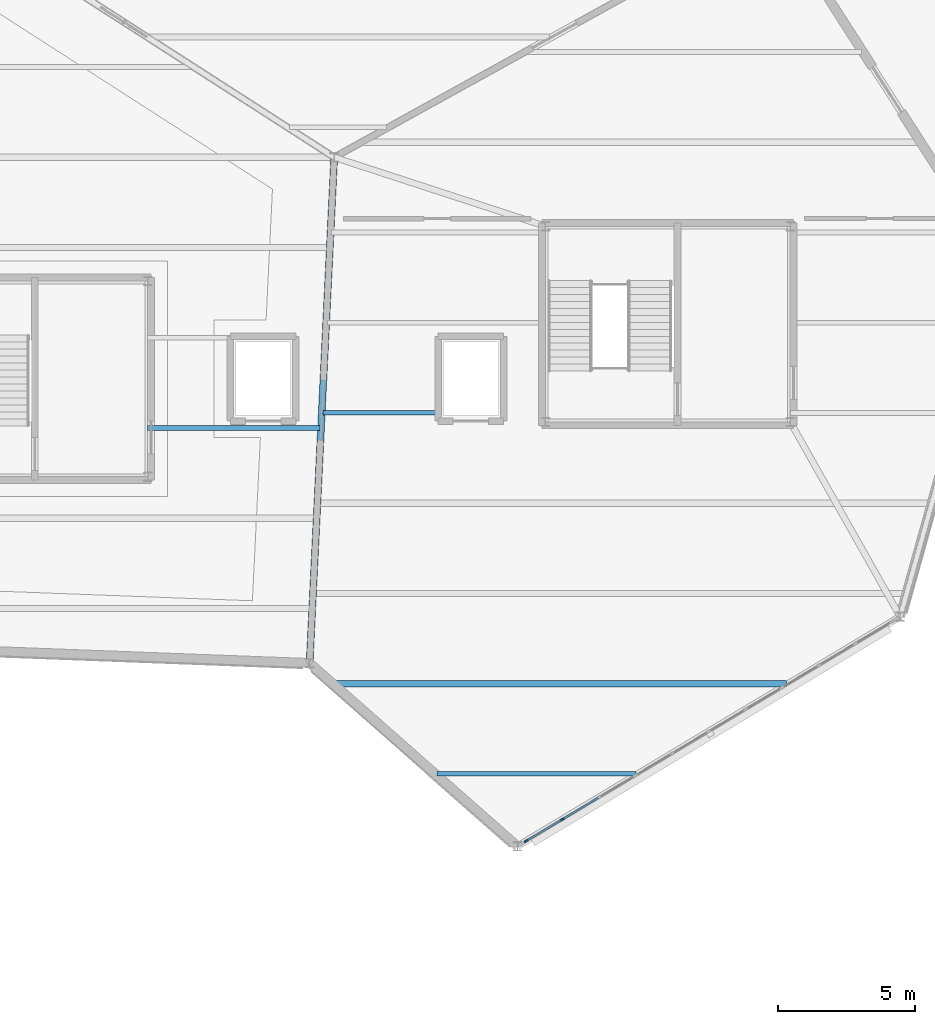
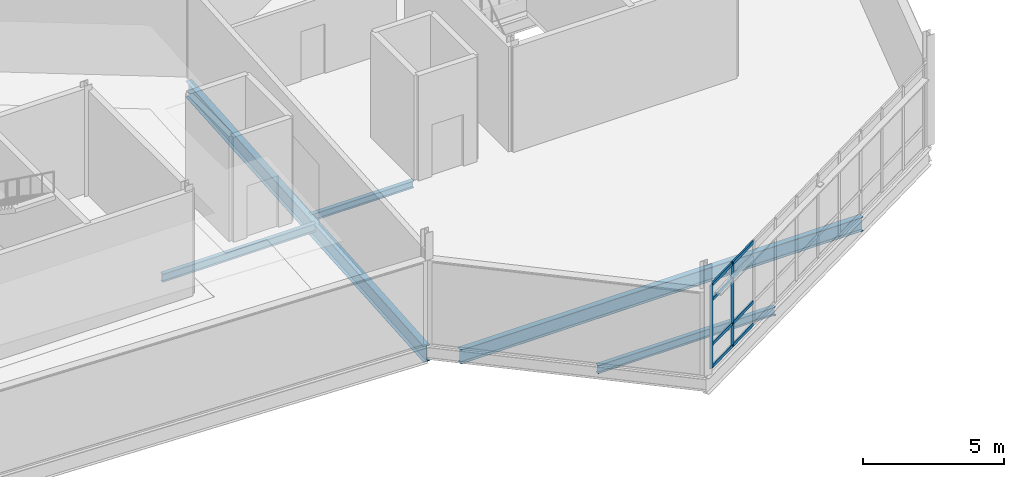
# One storey, part 36 of 76: 10 members, 5 beams, 1 element without a shape of its own.
"""IFC4 building model written with IfcOpenShell, lengths in metres."""

from ifc_helpers import new_model, si_unit, direction, frame, origin, origin_2d, place, context, subcontext, project, spatial, rectangle, i_section, extrude, material, material_profile, profile_set, type_object, element, aggregate, save


model = new_model("IFC4")

# Units and contexts
model_context = context("Model", 3, precision=1e-05, world=origin(), true_north=direction((0.0, 1.0)))
body_context = subcontext(model_context, "Body", "Model", "MODEL_VIEW")
ifc_project = project(units=[si_unit("LENGTHUNIT", "METRE"), si_unit("AREAUNIT", "SQUARE_METRE"), si_unit("VOLUMEUNIT", "CUBIC_METRE"), si_unit("PLANEANGLEUNIT", "RADIAN"), si_unit("MASSUNIT", "GRAM", prefix="KILO")], contexts=[model_context])

# Site, building, storey
site_placement = place(None, origin())
site = spatial("IfcSite", under=ifc_project, at=site_placement, CompositionType="ELEMENT")
building_placement = place(site_placement, origin())
building = spatial("IfcBuilding", under=site, at=building_placement, Name="Tameran Prism Museum", CompositionType="ELEMENT")
storey_placement = place(building_placement, frame((0.0, 0.0, 15.0)))
storey = spatial("IfcBuildingStorey", under=building, at=storey_placement, Name="L03", CompositionType="ELEMENT", Elevation=15.0)

# Beams
ifc_material_1 = material(Name="Steel Grade 300PLUS (300 MPa)", Category="steel")
ifc_material_profile_1 = material_profile(ifc_material_1, i_section(OverallWidth=0.166015625, OverallDepth=0.306884765625, WebThickness=0.006591796875, FlangeThickness=0.01171875, FilletRadius=0.011474609375, at=origin_2d()))
ifc_profile_set_1 = profile_set([ifc_material_profile_1])
beam_type_1 = type_object("IfcBeamType", Name="BM-J310A", PredefinedType="JOIST", material=ifc_profile_set_1)
beam_1_placement = place(storey_placement, frame((118.385009765625, 79.75, -0.353515625), z_axis=(1.0, 0.0, 0.0), x_axis=(0.0, 1.0, 0.0)))
element("IfcBeam", 1, at=beam_1_placement, inside=storey, type_object=beam_type_1, Name="Floor Beam BM-1064", PredefinedType="JOIST", context=body_context, shape_type="SweptSolid", body=[
    extrude(i_section(OverallWidth=0.166015625, OverallDepth=0.306884765625, WebThickness=0.006591796875, FlangeThickness=0.01171875, FilletRadius=0.011474609375, at=origin_2d()), origin(), (0.0, 0.0, 1.0), 4.235107421875),
])
ifc_material_2 = material(Name="Steel Grade 300PLUS (300 MPa)", Category="steel")
ifc_material_profile_2 = material_profile(ifc_material_2, i_section(OverallWidth=0.172119140625, OverallDepth=0.35888671875, WebThickness=0.008056640625, FlangeThickness=0.012939453125, FilletRadius=0.011474609375, at=origin_2d()))
ifc_profile_set_2 = profile_set([ifc_material_profile_2])
beam_type_2 = type_object("IfcBeamType", Name="BM-J360A", PredefinedType="JOIST", material=ifc_profile_set_2)
beam_2_placement = place(storey_placement, frame((111.97998046875, 79.199951171875, -0.37939453125), z_axis=(1.0, 0.0, 0.0), x_axis=(0.0, 1.0, 0.0)))
element("IfcBeam", 2, at=beam_2_placement, inside=storey, type_object=beam_type_2, Name="Floor Beam BM-1053", PredefinedType="JOIST", context=body_context, shape_type="SweptSolid", body=[
    extrude(i_section(OverallWidth=0.172119140625, OverallDepth=0.35888671875, WebThickness=0.008056640625, FlangeThickness=0.012939453125, FilletRadius=0.011474609375, at=origin_2d()), origin(), (0.0, 0.0, 1.0), 6.298095703125),
])
beam_3_placement = place(storey_placement, frame((122.554931640625, 66.550048828125, -0.37939453125), z_axis=(1.0, 0.0, 0.0), x_axis=(0.0, 1.0, 0.0)))
element("IfcBeam", 3, at=beam_3_placement, inside=storey, type_object=beam_type_2, Name="Floor Beam BM-1060", PredefinedType="JOIST", context=body_context, shape_type="SweptSolid", body=[
    extrude(i_section(OverallWidth=0.172119140625, OverallDepth=0.35888671875, WebThickness=0.008056640625, FlangeThickness=0.012939453125, FilletRadius=0.011474609375, at=origin_2d()), origin(), (0.0, 0.0, 1.0), 7.2841796875),
])
ifc_material_3 = material(Name="Steel Grade 350 (350 MPa)", Category="steel")
ifc_material_profile_3 = material_profile(ifc_material_3, i_section(OverallWidth=0.25, OverallDepth=0.699951171875, WebThickness=0.010009765625, FlangeThickness=0.02001953125, at=origin_2d()))
ifc_profile_set_3 = profile_set([ifc_material_profile_3])
beam_type_3 = type_object("IfcBeamType", Name="BM-SP700", PredefinedType="SPANDREL", material=ifc_profile_set_3)
beam_4_placement = place(storey_placement, frame((117.89990234375, 70.60009765625, -0.550048828125), z_axis=(0.048599072515, 0.998818366947, 0.0), x_axis=(-0.998818366947, 0.048599072515, 0.0)))
element("IfcBeam", 4, at=beam_4_placement, inside=storey, type_object=beam_type_3, Name="Perimeter Spandrel SP-0941", PredefinedType="SPANDREL", context=body_context, shape_type="SweptSolid", body=[
    extrude(i_section(OverallWidth=0.25, OverallDepth=0.699951171875, WebThickness=0.010009765625, FlangeThickness=0.02001953125, at=origin_2d()), origin(), (0.0, 0.0, 1.0), 18.52197265625),
])
ifc_material_4 = material(Name="Steel Grade 300PLUS (300 MPa)", Category="steel")
ifc_material_profile_4 = material_profile(ifc_material_4, i_section(OverallWidth=0.22802734375, OverallDepth=0.60693359375, WebThickness=0.01123046875, FlangeThickness=0.017333984375, FilletRadius=0.013916015625, at=origin_2d()))
ifc_profile_set_4 = profile_set([ifc_material_profile_4])
beam_type_4 = type_object("IfcBeamType", Name="BM-UB610B", PredefinedType="BEAM", material=ifc_profile_set_4)
beam_5_placement = place(storey_placement, frame((118.81103515625, 69.85009765625, -0.50341796875), z_axis=(1.0, 0.0, 0.0), x_axis=(0.0, 1.0, 0.0)))
element("IfcBeam", 5, at=beam_5_placement, inside=storey, type_object=beam_type_4, Name="Floor Beam BM-1061", PredefinedType="BEAM", context=body_context, shape_type="SweptSolid", body=[
    extrude(i_section(OverallWidth=0.22802734375, OverallDepth=0.60693359375, WebThickness=0.01123046875, FlangeThickness=0.017333984375, FilletRadius=0.013916015625, at=origin_2d()), origin(), (0.0, 0.0, 1.0), 16.528076171875),
])

# Curtain wall, members
ifc_material_5 = material(Name="Anodised Aluminium 6063-T6 and Cyclone Solar Glass", Category="aluminium")
curtain_wall_type = type_object("IfcCurtainWallType", Name="CW-FAC-1563x362", PredefinedType="USERDEFINED", material=ifc_material_5)
curtain_wall_placement = place(storey_placement, origin())
curtain_wall = element("IfcCurtainWall", 6, at=curtain_wall_placement, inside=storey, type_object=curtain_wall_type, Name="Unitised Curtain Wall CW-131", ObjectType="UNITISED CURTAIN WALL", PredefinedType="USERDEFINED")
ifc_material_6 = material(Name="Anodised Aluminium Alloy 6063-T6", Category="aluminium")
ifc_material_profile_5 = material_profile(ifc_material_6, rectangle(XDim=0.06494140625, YDim=0.159912109375, at=origin_2d()))
ifc_profile_set_5 = profile_set([ifc_material_profile_5])
member_type_1 = type_object("IfcMemberType", Name="CW-MUL-A", PredefinedType="MULLION", material=ifc_profile_set_5)
member_1_placement = place(storey_placement, frame((127.139892578125, 64.884033203125, 0.0), z_axis=(0.0, 0.0, 1.0), x_axis=(0.514495755426, -0.857492925713, 0.0)))
member_1 = element("IfcMember", 7, at=member_1_placement, type_object=member_type_1, Name="CW-131 mullion 10", PredefinedType="MULLION", context=body_context, shape_type="SweptSolid", body=[
    extrude(rectangle(XDim=0.06494140625, YDim=0.159912109375, at=origin_2d()), origin(), (0.0, 0.0, 1.0), 3.6201171875),
])
member_2_placement = place(storey_placement, frame((125.827880859375, 64.0966796875, 0.0), z_axis=(0.0, 0.0, 1.0), x_axis=(0.514495755426, -0.857492925713, 0.0)))
member_2 = element("IfcMember", 8, at=member_2_placement, type_object=member_type_1, Name="CW-131 mullion 11", PredefinedType="MULLION", context=body_context, shape_type="SweptSolid", body=[
    extrude(rectangle(XDim=0.06494140625, YDim=0.159912109375, at=origin_2d()), origin(), (0.0, 0.0, 1.0), 3.6201171875),
])
ifc_material_7 = material(Name="Anodised Aluminium Alloy 6063-T6", Category="aluminium")
ifc_material_profile_6 = material_profile(ifc_material_7, rectangle(XDim=0.06494140625, YDim=0.139892578125, at=origin_2d()))
ifc_profile_set_6 = profile_set([ifc_material_profile_6])
member_type_2 = type_object("IfcMemberType", Name="CW-TRN-A", PredefinedType="USERDEFINED", material=ifc_profile_set_6)
member_3_placement = place(storey_placement, frame((128.4521484375, 65.67138671875, 0.032470703125), z_axis=(-0.857421002132, -0.514615609074, 0.0), x_axis=(0.514615609074, -0.857421002132, 0.0)))
member_3 = element("IfcMember", 9, at=member_3_placement, type_object=member_type_2, Name="CW-131 transom 9.1", ObjectType="TRANSOM", PredefinedType="USERDEFINED", context=body_context, shape_type="SweptSolid", body=[
    extrude(rectangle(XDim=0.06494140625, YDim=0.139892578125, at=origin_2d()), origin(), (0.0, 0.0, 1.0), 1.497802734375),
])
member_4_placement = place(storey_placement, frame((128.4521484375, 65.67138671875, 1.0), z_axis=(-0.857421002132, -0.514615609074, 0.0), x_axis=(0.514615609074, -0.857421002132, 0.0)))
member_4 = element("IfcMember", 10, at=member_4_placement, type_object=member_type_2, Name="CW-131 transom 9.2", ObjectType="TRANSOM", PredefinedType="USERDEFINED", context=body_context, shape_type="SweptSolid", body=[
    extrude(rectangle(XDim=0.06494140625, YDim=0.139892578125, at=origin_2d()), origin(), (0.0, 0.0, 1.0), 1.497802734375),
])
member_5_placement = place(storey_placement, frame((128.4521484375, 65.67138671875, 2.93994140625), z_axis=(-0.857421002132, -0.514615609074, 0.0), x_axis=(0.514615609074, -0.857421002132, 0.0)))
member_5 = element("IfcMember", 11, at=member_5_placement, type_object=member_type_2, Name="CW-131 transom 9.3", ObjectType="TRANSOM", PredefinedType="USERDEFINED", context=body_context, shape_type="SweptSolid", body=[
    extrude(rectangle(XDim=0.06494140625, YDim=0.139892578125, at=origin_2d()), origin(), (0.0, 0.0, 1.0), 1.497802734375),
])
member_6_placement = place(storey_placement, frame((128.4521484375, 65.67138671875, 3.58740234375), z_axis=(-0.857421002132, -0.514615609074, 0.0), x_axis=(0.514615609074, -0.857421002132, 0.0)))
member_6 = element("IfcMember", 12, at=member_6_placement, type_object=member_type_2, Name="CW-131 transom 9.4", ObjectType="TRANSOM", PredefinedType="USERDEFINED", context=body_context, shape_type="SweptSolid", body=[
    extrude(rectangle(XDim=0.06494140625, YDim=0.139892578125, at=origin_2d()), origin(), (0.0, 0.0, 1.0), 1.497802734375),
])
member_7_placement = place(storey_placement, frame((127.112060546875, 64.8671875, 0.032470703125), z_axis=(-0.85753703354, -0.514422235239, 0.0), x_axis=(0.514422235239, -0.85753703354, 0.0)))
member_7 = element("IfcMember", 13, at=member_7_placement, type_object=member_type_2, Name="CW-131 transom 10.1", ObjectType="TRANSOM", PredefinedType="USERDEFINED", context=body_context, shape_type="SweptSolid", body=[
    extrude(rectangle(XDim=0.06494140625, YDim=0.139892578125, at=origin_2d()), origin(), (0.0, 0.0, 1.0), 1.465087890625),
])
member_8_placement = place(storey_placement, frame((127.112060546875, 64.8671875, 1.0), z_axis=(-0.85753703354, -0.514422235239, 0.0), x_axis=(0.514422235239, -0.85753703354, 0.0)))
member_8 = element("IfcMember", 14, at=member_8_placement, type_object=member_type_2, Name="CW-131 transom 10.2", ObjectType="TRANSOM", PredefinedType="USERDEFINED", context=body_context, shape_type="SweptSolid", body=[
    extrude(rectangle(XDim=0.06494140625, YDim=0.139892578125, at=origin_2d()), origin(), (0.0, 0.0, 1.0), 1.465087890625),
])
member_9_placement = place(storey_placement, frame((127.112060546875, 64.8671875, 2.93994140625), z_axis=(-0.85753703354, -0.514422235239, 0.0), x_axis=(0.514422235239, -0.85753703354, 0.0)))
member_9 = element("IfcMember", 15, at=member_9_placement, type_object=member_type_2, Name="CW-131 transom 10.3", ObjectType="TRANSOM", PredefinedType="USERDEFINED", context=body_context, shape_type="SweptSolid", body=[
    extrude(rectangle(XDim=0.06494140625, YDim=0.139892578125, at=origin_2d()), origin(), (0.0, 0.0, 1.0), 1.465087890625),
])
member_10_placement = place(storey_placement, frame((127.112060546875, 64.8671875, 3.58740234375), z_axis=(-0.85753703354, -0.514422235239, 0.0), x_axis=(0.514422235239, -0.85753703354, 0.0)))
member_10 = element("IfcMember", 16, at=member_10_placement, type_object=member_type_2, Name="CW-131 transom 10.4", ObjectType="TRANSOM", PredefinedType="USERDEFINED", context=body_context, shape_type="SweptSolid", body=[
    extrude(rectangle(XDim=0.06494140625, YDim=0.139892578125, at=origin_2d()), origin(), (0.0, 0.0, 1.0), 1.465087890625),
])
aggregate(curtain_wall, [member_1, member_2, member_3, member_4, member_5, member_6, member_7, member_8, member_9, member_10])

save(model, "model.ifc")
